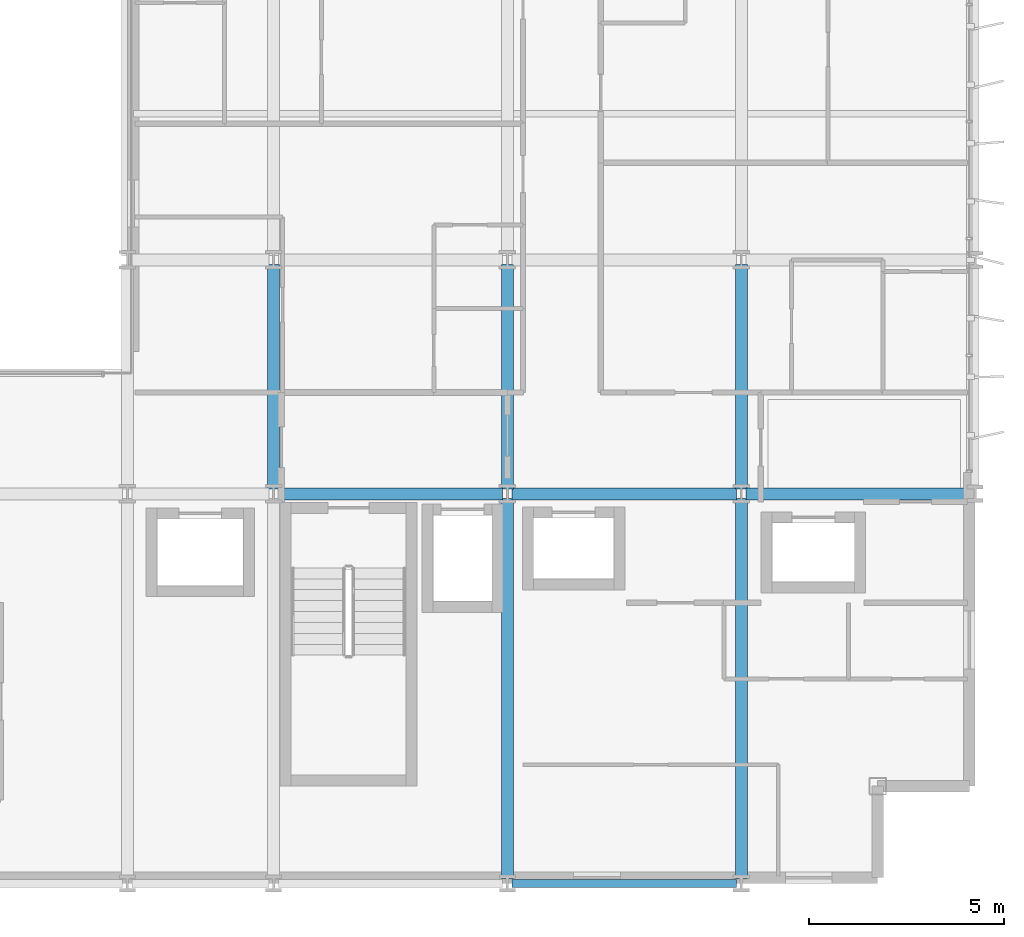
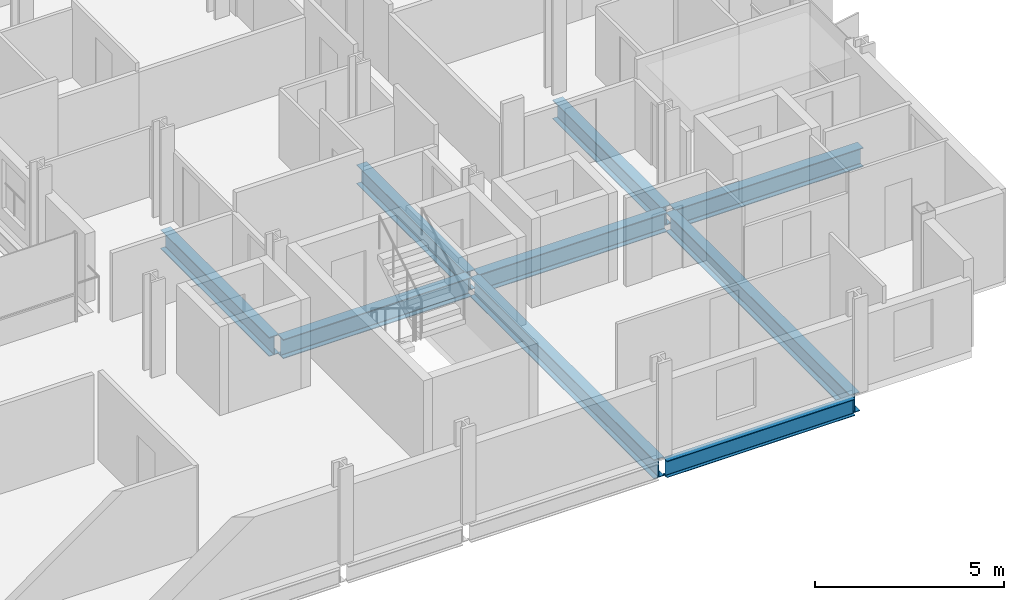
# One storey, part 14 of 38: 9 beams.
"""IFC4 building model written with IfcOpenShell, lengths in metres."""

from ifc_helpers import new_model, si_unit, direction, frame, origin, origin_2d, place, context, subcontext, project, spatial, i_section, extrude, material, material_profile, profile_set, type_object, element, save


model = new_model("IFC4")

# Units and contexts
model_context = context("Model", 3, precision=1e-05, world=origin(), true_north=direction((0.0, 1.0)))
body_context = subcontext(model_context, "Body", "Model", "MODEL_VIEW")
ifc_project = project(units=[si_unit("LENGTHUNIT", "METRE"), si_unit("AREAUNIT", "SQUARE_METRE"), si_unit("VOLUMEUNIT", "CUBIC_METRE"), si_unit("PLANEANGLEUNIT", "RADIAN"), si_unit("MASSUNIT", "GRAM", prefix="KILO")], contexts=[model_context])

# Site, building, storey
site_placement = place(None, origin())
site = spatial("IfcSite", under=ifc_project, at=site_placement, CompositionType="ELEMENT")
building_placement = place(site_placement, origin())
building = spatial("IfcBuilding", under=site, at=building_placement, Name="Brevholm Reach", CompositionType="ELEMENT")
storey_placement = place(building_placement, frame((0.0, 0.0, 52.800048828125)))
storey = spatial("IfcBuildingStorey", under=building, at=storey_placement, Name="L14", CompositionType="ELEMENT", Elevation=52.800048828125)

# Beams
ifc_material_1 = material(Name="Structural Steel S355J2", Category="steel")
ifc_material_profile_1 = material_profile(ifc_material_1, i_section(OverallWidth=0.210693359375, OverallDepth=0.53955078125, WebThickness=0.01171875, FlangeThickness=0.018798828125, FilletRadius=0.0126953125, at=origin_2d()), Name="UKB 533x210x109")
ifc_profile_set_1 = profile_set([ifc_material_profile_1], Name="Structural Steel S355J2")
beam_type_1 = type_object("IfcBeamType", Name="BM-SP539", PredefinedType="SPANDREL", material=ifc_profile_set_1)
beam_1_placement = place(storey_placement, frame((48.1201171875, 0.0, -0.499755859375), z_axis=(1.0, 0.0, 0.0), x_axis=(0.0, 1.0, 0.0)))
element("IfcBeam", 1, at=beam_1_placement, inside=storey, type_object=beam_type_1, Name="L14 SP-01B Framing Beam", PredefinedType="SPANDREL", context=body_context, shape_type="SweptSolid", body=[
    extrude(i_section(OverallWidth=0.210693359375, OverallDepth=0.53955078125, WebThickness=0.01171875, FlangeThickness=0.018798828125, FilletRadius=0.0126953125, at=origin_2d()), origin(), (0.0, 0.0, 1.0), 5.759765625),
])
ifc_material_2 = material(Name="Structural Steel S355J2", Category="steel")
ifc_material_profile_2 = material_profile(ifc_material_2, i_section(OverallWidth=0.30712890625, OverallDepth=0.6201171875, WebThickness=0.01416015625, FlangeThickness=0.023681640625, FilletRadius=0.0166015625, at=origin_2d()), Name="UKB 610x305x179")
ifc_profile_set_2 = profile_set([ifc_material_profile_2], Name="Structural Steel S355J2")
beam_type_2 = type_object("IfcBeamType", Name="BM-UKB610H", PredefinedType="USERDEFINED", material=ifc_profile_set_2)
for number, where, z_axis, x_axis, name in (
    (2, (42.1201171875, 10.0, -0.5400390625), (1.0, 0.0, 0.0), (0.0, 1.0, 0.0), "L14 G-06 Framing Beam"),
    (3, (48.1201171875, 10.0, -0.5400390625), (1.0, 0.0, 0.0), (0.0, 1.0, 0.0), "L14 G-06 Framing Beam"),
    (4, (54.1201171875, 10.0, -0.5400390625), (1.0, 0.0, 0.0), (0.0, 1.0, 0.0), "L14 G-06 Framing Beam"),
    (5, (42.0, 10.1201171875, -0.5400390625), (0.0, 1.0, 0.0), (-1.0, 0.0, 0.0), "L14 G-06 Framing Beam"),
):
    element("IfcBeam", number, at=place(storey_placement, frame(where, z_axis=z_axis, x_axis=x_axis)), inside=storey, type_object=beam_type_2, Name=name, ObjectType="GIRDER", PredefinedType="USERDEFINED", context=body_context, shape_type="SweptSolid", body=[
        extrude(i_section(OverallWidth=0.30712890625, OverallDepth=0.6201171875, WebThickness=0.01416015625, FlangeThickness=0.023681640625, FilletRadius=0.0166015625, at=origin_2d()), origin(), (0.0, 0.0, 1.0), 5.759765625),
    ])
beam_2_placement = place(storey_placement, frame((48.0, 0.1201171875, -0.5400390625), z_axis=(0.0, 1.0, 0.0), x_axis=(-1.0, 0.0, 0.0)))
element("IfcBeam", 6, at=beam_2_placement, inside=storey, type_object=beam_type_2, Name="L14 G-06 Framing Beam", ObjectType="GIRDER", PredefinedType="USERDEFINED", context=body_context, shape_type="SweptSolid", body=[
    extrude(i_section(OverallWidth=0.30712890625, OverallDepth=0.6201171875, WebThickness=0.01416015625, FlangeThickness=0.023681640625, FilletRadius=0.0166015625, at=origin_2d()), origin(), (0.0, 0.0, 1.0), 9.759765625),
])
beam_3_placement = place(storey_placement, frame((48.0, 10.1201171875, -0.5400390625), z_axis=(0.0, 1.0, 0.0), x_axis=(-1.0, 0.0, 0.0)))
element("IfcBeam", 7, at=beam_3_placement, inside=storey, type_object=beam_type_2, Name="L14 G-06 Framing Beam", ObjectType="GIRDER", PredefinedType="USERDEFINED", context=body_context, shape_type="SweptSolid", body=[
    extrude(i_section(OverallWidth=0.30712890625, OverallDepth=0.6201171875, WebThickness=0.01416015625, FlangeThickness=0.023681640625, FilletRadius=0.0166015625, at=origin_2d()), origin(), (0.0, 0.0, 1.0), 5.759765625),
])
beam_4_placement = place(storey_placement, frame((54.0, 0.1201171875, -0.5400390625), z_axis=(0.0, 1.0, 0.0), x_axis=(-1.0, 0.0, 0.0)))
element("IfcBeam", 8, at=beam_4_placement, inside=storey, type_object=beam_type_2, Name="L14 G-06 Framing Beam", ObjectType="GIRDER", PredefinedType="USERDEFINED", context=body_context, shape_type="SweptSolid", body=[
    extrude(i_section(OverallWidth=0.30712890625, OverallDepth=0.6201171875, WebThickness=0.01416015625, FlangeThickness=0.023681640625, FilletRadius=0.0166015625, at=origin_2d()), origin(), (0.0, 0.0, 1.0), 9.759765625),
])
beam_5_placement = place(storey_placement, frame((54.0, 10.1201171875, -0.5400390625), z_axis=(0.0, 1.0, 0.0), x_axis=(-1.0, 0.0, 0.0)))
element("IfcBeam", 9, at=beam_5_placement, inside=storey, type_object=beam_type_2, Name="L14 G-06 Framing Beam", ObjectType="GIRDER", PredefinedType="USERDEFINED", context=body_context, shape_type="SweptSolid", body=[
    extrude(i_section(OverallWidth=0.30712890625, OverallDepth=0.6201171875, WebThickness=0.01416015625, FlangeThickness=0.023681640625, FilletRadius=0.0166015625, at=origin_2d()), origin(), (0.0, 0.0, 1.0), 5.759765625),
])

save(model, "model.ifc")
